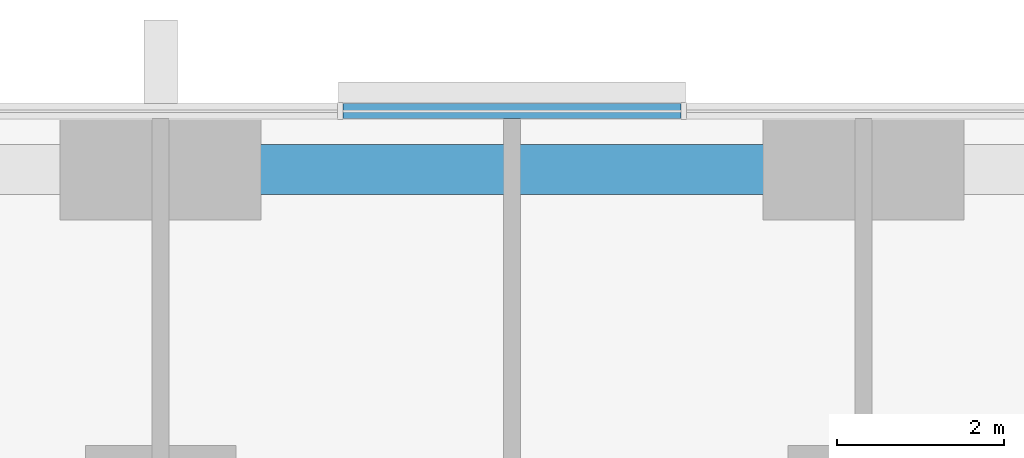
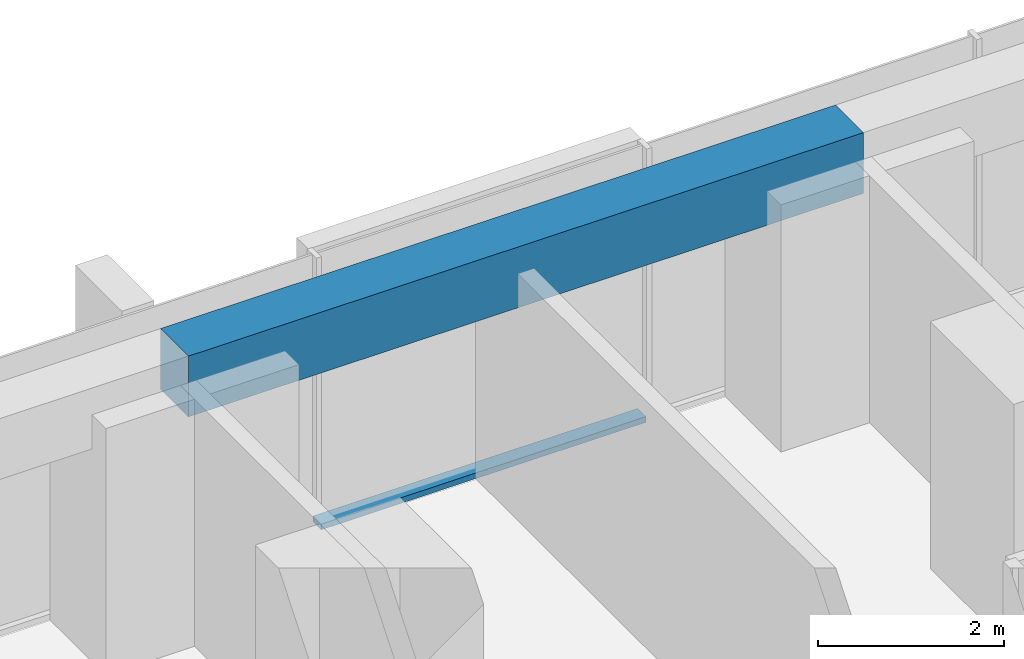
# One storey, part 7 of 18: 1 beam, 1 member, 1 element without a shape of its own.
"""IFC4 building model written with IfcOpenShell, lengths in metres."""

from ifc_helpers import new_model, si_unit, direction, frame, origin, origin_2d, place, context, subcontext, project, spatial, rectangle, extrude, material, material_profile, profile_set, type_object, element, aggregate, save


model = new_model("IFC4")

# Units and contexts
model_context = context("Model", 3, precision=1e-05, world=origin(), true_north=direction((0.0, 1.0)))
body_context = subcontext(model_context, "Body", "Model", "MODEL_VIEW")
ifc_project = project(units=[si_unit("LENGTHUNIT", "METRE"), si_unit("AREAUNIT", "SQUARE_METRE"), si_unit("VOLUMEUNIT", "CUBIC_METRE"), si_unit("PLANEANGLEUNIT", "RADIAN"), si_unit("MASSUNIT", "GRAM", prefix="KILO")], contexts=[model_context])

# Site, building, storey
site_placement = place(None, origin())
site = spatial("IfcSite", under=ifc_project, at=site_placement, CompositionType="ELEMENT")
building_placement = place(site_placement, origin())
building = spatial("IfcBuilding", under=site, at=building_placement, Name="Dunama Terrace Hotel", CompositionType="ELEMENT")
storey_placement = place(building_placement, frame((0.0, 0.0, 30.60009765625)))
storey = spatial("IfcBuildingStorey", under=building, at=storey_placement, Name="L06", CompositionType="ELEMENT", Elevation=30.60009765625)

# Curtain wall, member
ifc_material_1 = material(Name="Aluminium curtain wall system", Category="aluminium")
curtain_wall_type = type_object("IfcCurtainWallType", Name="Unitised fritted glass wall CW-A", PredefinedType="NOTDEFINED", material=ifc_material_1)
curtain_wall_placement = place(storey_placement, origin())
curtain_wall = element("IfcCurtainWall", 1, at=curtain_wall_placement, inside=storey, type_object=curtain_wall_type, Name="Unitised fritted glass wall CW-A L06", PredefinedType="NOTDEFINED")
ifc_material_2 = material(Name="Aluminium transom", Category="aluminium")
ifc_material_profile_1 = material_profile(ifc_material_2, rectangle(XDim=0.179931640625, YDim=0.074951171875, at=origin_2d()), Name="CWA TRANSOM 180X75")
ifc_profile_set_1 = profile_set([ifc_material_profile_1], Name="Aluminium transom")
member_type = type_object("IfcMemberType", Name="CWA transom 180x75", PredefinedType="USERDEFINED", material=ifc_profile_set_1)
member_placement = place(storey_placement, frame((31.4208984375, 58.89990234375, 0.037353515625), z_axis=(-1.0, 0.0, 0.0), x_axis=(0.0, -1.0, 0.0)))
member = element("IfcMember", 2, at=member_placement, type_object=member_type, Name="CWA transom", ObjectType="TRANSOM", PredefinedType="USERDEFINED", context=body_context, shape_type="SweptSolid", body=[
    extrude(rectangle(XDim=0.179931640625, YDim=0.074951171875, at=origin_2d()), origin(), (0.0, 0.0, 1.0), 4.0419921875),
])
aggregate(curtain_wall, [member])

# Beam
ifc_material_3 = material(Name="Concrete C40/50", Category="concrete")
ifc_material_profile_2 = material_profile(ifc_material_3, rectangle(XDim=0.60009765625, YDim=0.800048828125, at=origin_2d()), Name="RC 600x800")
ifc_profile_set_2 = profile_set([ifc_material_profile_2], Name="Concrete C40/50")
beam_type = type_object("IfcBeamType", Name="Edge beam RC 600x800", PredefinedType="SPANDREL", material=ifc_profile_set_2)
beam_placement = place(storey_placement, frame((25.199951171875, 58.199951171875, 3.199951171875), z_axis=(1.0, 0.0, 0.0), x_axis=(0.0, 1.0, 0.0)))
element("IfcBeam", 3, at=beam_placement, inside=storey, type_object=beam_type, Name="Edge beam under L07", PredefinedType="SPANDREL", context=body_context, shape_type="SweptSolid", body=[
    extrude(rectangle(XDim=0.60009765625, YDim=0.800048828125, at=origin_2d()), origin(), (0.0, 0.0, 1.0), 8.400146484375),
])

save(model, "model.ifc")
